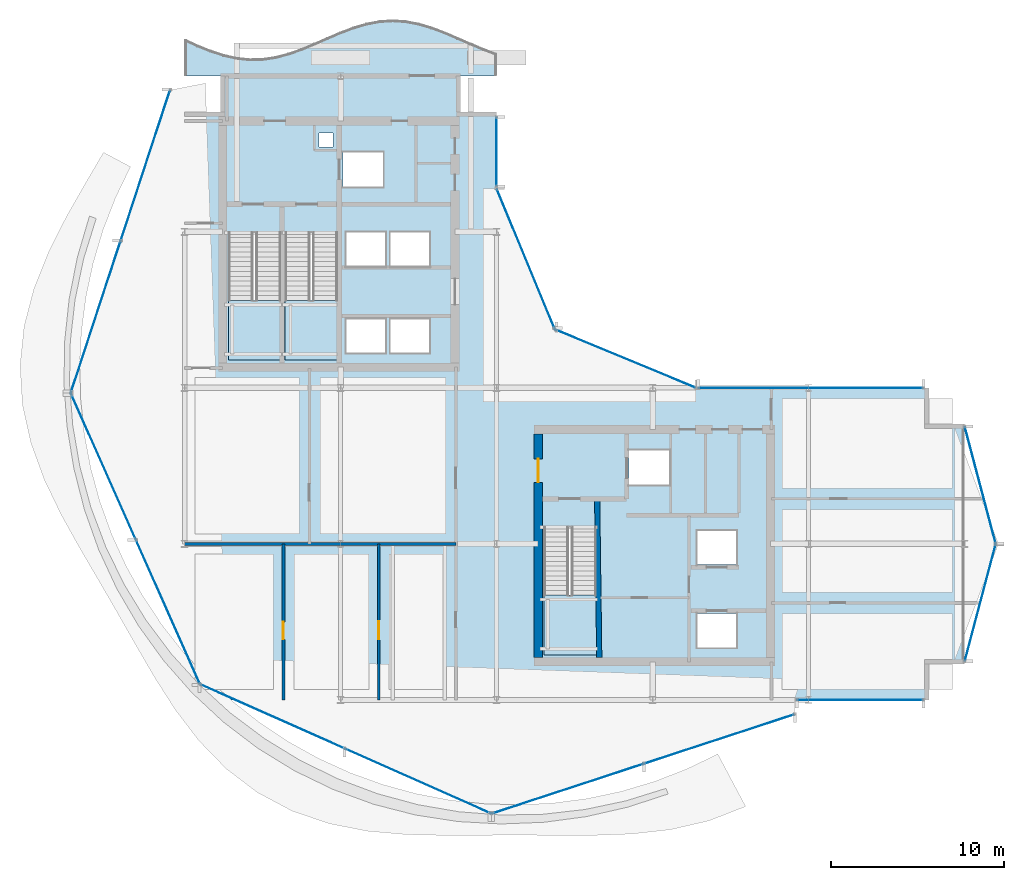
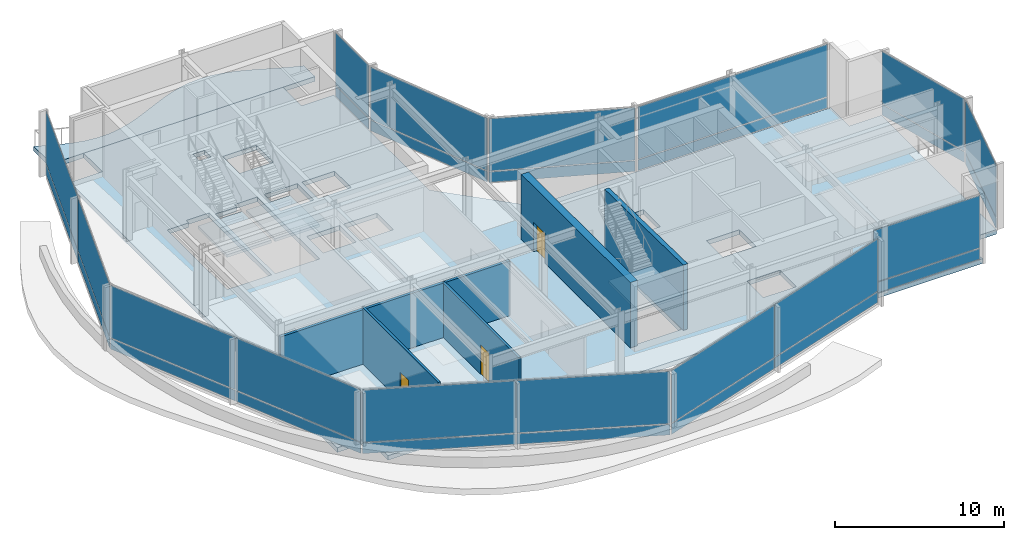
# One storey, part 20 of 29: 30 plates, 5 slabs, 5 walls, 3 doors, 3 openings, 14 elements without a shape of their own.
"""IFC4 building model written with IfcOpenShell, lengths in metres."""

from ifc_helpers import new_model, si_unit, direction, frame, frame_2d, origin, origin_2d, place, context, subcontext, project, spatial, polyline, rectangle, outline, extrude, material, layer, layer_set, type_object, element, fill, aggregate, save


model = new_model("IFC4")

# Units and contexts
model_context = context("Model", 3, precision=1e-05, world=origin(), true_north=direction((0.0, 1.0)))
body_context = subcontext(model_context, "Body", "Model", "MODEL_VIEW")
ifc_project = project(units=[si_unit("LENGTHUNIT", "METRE"), si_unit("AREAUNIT", "SQUARE_METRE"), si_unit("VOLUMEUNIT", "CUBIC_METRE"), si_unit("PLANEANGLEUNIT", "RADIAN"), si_unit("MASSUNIT", "GRAM", prefix="KILO")], contexts=[model_context])

# Site, building, storey
site_placement = place(None, origin())
site = spatial("IfcSite", under=ifc_project, at=site_placement, CompositionType="ELEMENT")
building_placement = place(site_placement, origin())
building = spatial("IfcBuilding", under=site, at=building_placement, Name="Solvaryn Broadcast Tower", CompositionType="ELEMENT")
storey_placement = place(building_placement, frame((0.0, 0.0, 169.199951171875)))
storey = spatial("IfcBuildingStorey", under=building, at=storey_placement, Name="L42", CompositionType="ELEMENT", Elevation=169.199951171875)

# Curtain wall, plates
ifc_material_1 = material(Name="Aluminium and Terracotta Unitised Curtain Wall", Category="masonry")
ifc_layer_1 = layer(ifc_material_1, 0.25)
ifc_layer_set_1 = layer_set([ifc_layer_1], Name="CW-SYS4-SKYGARDEN")
curtain_wall_type = type_object("IfcCurtainWallType", Name="CW-SYS4-SKYGARDEN", PredefinedType="NOTDEFINED", material=ifc_layer_set_1)
curtain_wall_1_placement = place(storey_placement, origin())
curtain_wall_1 = element("IfcCurtainWall", 1, at=curtain_wall_1_placement, inside=storey, type_object=curtain_wall_type, Name="L42 Curtain Wall DR1", PredefinedType="NOTDEFINED")
ifc_material_2 = material(Name="Low-Iron Insulated Vision Glass", Category="glass")
ifc_layer_2 = layer(ifc_material_2, 0.035888671875)
ifc_layer_set_2 = layer_set([ifc_layer_2], Name="CW-PNL-VISION")
plate_type = type_object("IfcPlateType", Name="CW-PNL-VISION", PredefinedType="CURTAIN_PANEL", material=ifc_layer_set_2)
plate_1_placement = place(storey_placement, frame((6.725830078125, 39.798828125, 0.06005859375), z_axis=(0.0, 0.0, 1.0), x_axis=(-0.311558717623, -0.950226902099, 0.0)))
plate_1 = element("IfcPlate", 2, at=plate_1_placement, type_object=plate_type, Name="CWS4 panel 1.1", PredefinedType="CURTAIN_PANEL", context=body_context, shape_type="SweptSolid", body=[
    extrude(rectangle(XDim=9.105712890625, YDim=0.028076171875, at=origin_2d()), origin(), (0.0, 0.0, 1.0), 0.760009765625),
])
plate_2_placement = place(storey_placement, frame((6.725830078125, 39.798828125, 0.8798828125), z_axis=(0.0, 0.0, 1.0), x_axis=(-0.311558717623, -0.950226902099, 0.0)))
plate_2 = element("IfcPlate", 3, at=plate_2_placement, type_object=plate_type, Name="CWS4 panel 1.2", PredefinedType="CURTAIN_PANEL", context=body_context, shape_type="SweptSolid", body=[
    extrude(rectangle(XDim=9.105712890625, YDim=0.028076171875, at=origin_2d()), origin(), (0.0, 0.0, 1.0), 3.780029296875),
])
plate_3_placement = place(storey_placement, frame((3.8701171875, 31.08935546875, 0.06005859375), z_axis=(0.0, 0.0, 1.0), x_axis=(-0.311558717623, -0.950226902099, 0.0)))
plate_3 = element("IfcPlate", 4, at=plate_3_placement, type_object=plate_type, Name="CWS4 panel 2.1", PredefinedType="CURTAIN_PANEL", context=body_context, shape_type="SweptSolid", body=[
    extrude(rectangle(XDim=9.105712890625, YDim=0.028076171875, at=origin_2d()), origin(), (0.0, 0.0, 1.0), 0.760009765625),
])
plate_4_placement = place(storey_placement, frame((3.8701171875, 31.08935546875, 0.8798828125), z_axis=(0.0, 0.0, 1.0), x_axis=(-0.311558717623, -0.950226902099, 0.0)))
plate_4 = element("IfcPlate", 5, at=plate_4_placement, type_object=plate_type, Name="CWS4 panel 2.2", PredefinedType="CURTAIN_PANEL", context=body_context, shape_type="SweptSolid", body=[
    extrude(rectangle(XDim=9.105712890625, YDim=0.028076171875, at=origin_2d()), origin(), (0.0, 0.0, 1.0), 3.780029296875),
])
aggregate(curtain_wall_1, [plate_1, plate_2, plate_3, plate_4])

curtain_wall_2_placement = place(storey_placement, origin())
curtain_wall_2 = element("IfcCurtainWall", 6, at=curtain_wall_2_placement, inside=storey, type_object=curtain_wall_type, Name="L42 Curtain Wall DR2", PredefinedType="NOTDEFINED")
plate_5_placement = place(storey_placement, frame((4.305419921875, 22.490234375, 0.06005859375), z_axis=(0.0, 0.0, 1.0), x_axis=(0.405901337237, -0.913916902365, 0.0)))
plate_5 = element("IfcPlate", 7, at=plate_5_placement, type_object=plate_type, Name="CWS4 panel 1.1", PredefinedType="CURTAIN_PANEL", context=body_context, shape_type="SweptSolid", body=[
    extrude(rectangle(XDim=9.10546875, YDim=0.028076171875, at=origin_2d()), origin(), (0.0, 0.0, 1.0), 0.760009765625),
])
plate_6_placement = place(storey_placement, frame((4.305419921875, 22.490234375, 0.8798828125), z_axis=(0.0, 0.0, 1.0), x_axis=(0.405901337237, -0.913916902365, 0.0)))
plate_6 = element("IfcPlate", 8, at=plate_6_placement, type_object=plate_type, Name="CWS4 panel 1.2", PredefinedType="CURTAIN_PANEL", context=body_context, shape_type="SweptSolid", body=[
    extrude(rectangle(XDim=9.10546875, YDim=0.028076171875, at=origin_2d()), origin(), (0.0, 0.0, 1.0), 3.780029296875),
])
plate_7_placement = place(storey_placement, frame((8.025634765625, 14.11376953125, 0.06005859375), z_axis=(0.0, 0.0, 1.0), x_axis=(0.405901337237, -0.913916902365, 0.0)))
plate_7 = element("IfcPlate", 9, at=plate_7_placement, type_object=plate_type, Name="CWS4 panel 2.1", PredefinedType="CURTAIN_PANEL", context=body_context, shape_type="SweptSolid", body=[
    extrude(rectangle(XDim=9.10546875, YDim=0.028076171875, at=origin_2d()), origin(), (0.0, 0.0, 1.0), 0.760009765625),
])
plate_8_placement = place(storey_placement, frame((8.025634765625, 14.11376953125, 0.8798828125), z_axis=(0.0, 0.0, 1.0), x_axis=(0.405901337237, -0.913916902365, 0.0)))
plate_8 = element("IfcPlate", 10, at=plate_8_placement, type_object=plate_type, Name="CWS4 panel 2.2", PredefinedType="CURTAIN_PANEL", context=body_context, shape_type="SweptSolid", body=[
    extrude(rectangle(XDim=9.10546875, YDim=0.028076171875, at=origin_2d()), origin(), (0.0, 0.0, 1.0), 3.780029296875),
])
aggregate(curtain_wall_2, [plate_5, plate_6, plate_7, plate_8])

curtain_wall_3_placement = place(storey_placement, origin())
curtain_wall_3 = element("IfcCurtainWall", 11, at=curtain_wall_3_placement, inside=storey, type_object=curtain_wall_type, Name="L42 Curtain Wall DR3", PredefinedType="NOTDEFINED")
plate_9_placement = place(storey_placement, frame((14.11376953125, 8.025634765625, 0.06005859375), z_axis=(0.0, 0.0, 1.0), x_axis=(0.913916902365, -0.405901337237, 0.0)))
plate_9 = element("IfcPlate", 12, at=plate_9_placement, type_object=plate_type, Name="CWS4 panel 1.1", PredefinedType="CURTAIN_PANEL", context=body_context, shape_type="SweptSolid", body=[
    extrude(rectangle(XDim=9.10546875, YDim=0.028076171875, at=origin_2d()), origin(), (0.0, 0.0, 1.0), 0.760009765625),
])
plate_10_placement = place(storey_placement, frame((14.11376953125, 8.025634765625, 0.8798828125), z_axis=(0.0, 0.0, 1.0), x_axis=(0.913916902365, -0.405901337237, 0.0)))
plate_10 = element("IfcPlate", 13, at=plate_10_placement, type_object=plate_type, Name="CWS4 panel 1.2", PredefinedType="CURTAIN_PANEL", context=body_context, shape_type="SweptSolid", body=[
    extrude(rectangle(XDim=9.10546875, YDim=0.028076171875, at=origin_2d()), origin(), (0.0, 0.0, 1.0), 3.780029296875),
])
plate_11_placement = place(storey_placement, frame((22.490234375, 4.305419921875, 0.06005859375), z_axis=(0.0, 0.0, 1.0), x_axis=(0.913916902365, -0.405901337237, 0.0)))
plate_11 = element("IfcPlate", 14, at=plate_11_placement, type_object=plate_type, Name="CWS4 panel 2.1", PredefinedType="CURTAIN_PANEL", context=body_context, shape_type="SweptSolid", body=[
    extrude(rectangle(XDim=9.10546875, YDim=0.028076171875, at=origin_2d()), origin(), (0.0, 0.0, 1.0), 0.760009765625),
])
plate_12_placement = place(storey_placement, frame((22.490234375, 4.305419921875, 0.8798828125), z_axis=(0.0, 0.0, 1.0), x_axis=(0.913916902365, -0.405901337237, 0.0)))
plate_12 = element("IfcPlate", 15, at=plate_12_placement, type_object=plate_type, Name="CWS4 panel 2.2", PredefinedType="CURTAIN_PANEL", context=body_context, shape_type="SweptSolid", body=[
    extrude(rectangle(XDim=9.10546875, YDim=0.028076171875, at=origin_2d()), origin(), (0.0, 0.0, 1.0), 3.780029296875),
])
aggregate(curtain_wall_3, [plate_9, plate_10, plate_11, plate_12])

curtain_wall_4_placement = place(storey_placement, origin())
curtain_wall_4 = element("IfcCurtainWall", 16, at=curtain_wall_4_placement, inside=storey, type_object=curtain_wall_type, Name="L42 Curtain Wall DR4", PredefinedType="NOTDEFINED")
plate_13_placement = place(storey_placement, frame((31.08935546875, 3.8701171875, 0.06005859375), z_axis=(0.0, 0.0, 1.0), x_axis=(0.950226902099, 0.311558717623, 0.0)))
plate_13 = element("IfcPlate", 17, at=plate_13_placement, type_object=plate_type, Name="CWS4 panel 1.1", PredefinedType="CURTAIN_PANEL", context=body_context, shape_type="SweptSolid", body=[
    extrude(rectangle(XDim=9.105712890625, YDim=0.028076171875, at=origin_2d()), origin(), (0.0, 0.0, 1.0), 0.760009765625),
])
plate_14_placement = place(storey_placement, frame((31.08935546875, 3.8701171875, 0.8798828125), z_axis=(0.0, 0.0, 1.0), x_axis=(0.950226902099, 0.311558717623, 0.0)))
plate_14 = element("IfcPlate", 18, at=plate_14_placement, type_object=plate_type, Name="CWS4 panel 1.2", PredefinedType="CURTAIN_PANEL", context=body_context, shape_type="SweptSolid", body=[
    extrude(rectangle(XDim=9.105712890625, YDim=0.028076171875, at=origin_2d()), origin(), (0.0, 0.0, 1.0), 3.780029296875),
])
plate_15_placement = place(storey_placement, frame((39.798828125, 6.725830078125, 0.06005859375), z_axis=(0.0, 0.0, 1.0), x_axis=(0.950226902099, 0.311558717623, 0.0)))
plate_15 = element("IfcPlate", 19, at=plate_15_placement, type_object=plate_type, Name="CWS4 panel 2.1", PredefinedType="CURTAIN_PANEL", context=body_context, shape_type="SweptSolid", body=[
    extrude(rectangle(XDim=9.105712890625, YDim=0.028076171875, at=origin_2d()), origin(), (0.0, 0.0, 1.0), 0.760009765625),
])
plate_16_placement = place(storey_placement, frame((39.798828125, 6.725830078125, 0.8798828125), z_axis=(0.0, 0.0, 1.0), x_axis=(0.950226902099, 0.311558717623, 0.0)))
plate_16 = element("IfcPlate", 20, at=plate_16_placement, type_object=plate_type, Name="CWS4 panel 2.2", PredefinedType="CURTAIN_PANEL", context=body_context, shape_type="SweptSolid", body=[
    extrude(rectangle(XDim=9.105712890625, YDim=0.028076171875, at=origin_2d()), origin(), (0.0, 0.0, 1.0), 3.780029296875),
])
aggregate(curtain_wall_4, [plate_13, plate_14, plate_15, plate_16])

curtain_wall_5_placement = place(storey_placement, origin())
curtain_wall_5 = element("IfcCurtainWall", 21, at=curtain_wall_5_placement, inside=storey, type_object=curtain_wall_type, Name="L42 Curtain Wall IV", PredefinedType="NOTDEFINED")
plate_17_placement = place(storey_placement, frame((27.0, 40.625, 0.06005859375), z_axis=(0.0, 0.0, 1.0), x_axis=(0.0, -1.0, 0.0)))
plate_17 = element("IfcPlate", 22, at=plate_17_placement, type_object=plate_type, Name="CWS4 panel 1.1", PredefinedType="CURTAIN_PANEL", context=body_context, shape_type="SweptSolid", body=[
    extrude(rectangle(XDim=3.929931640625, YDim=0.028076171875, at=origin_2d()), origin(), (0.0, 0.0, 1.0), 0.760009765625),
])
plate_18_placement = place(storey_placement, frame((27.0, 40.625, 0.8798828125), z_axis=(0.0, 0.0, 1.0), x_axis=(0.0, -1.0, 0.0)))
plate_18 = element("IfcPlate", 23, at=plate_18_placement, type_object=plate_type, Name="CWS4 panel 1.2", PredefinedType="CURTAIN_PANEL", context=body_context, shape_type="SweptSolid", body=[
    extrude(rectangle(XDim=3.929931640625, YDim=0.028076171875, at=origin_2d()), origin(), (0.0, 0.0, 1.0), 3.780029296875),
])
aggregate(curtain_wall_5, [plate_17, plate_18])

curtain_wall_6_placement = place(storey_placement, origin())
curtain_wall_6 = element("IfcCurtainWall", 24, at=curtain_wall_6_placement, inside=storey, type_object=curtain_wall_type, Name="L42 Curtain Wall CN1", PredefinedType="NOTDEFINED")
plate_19_placement = place(storey_placement, frame((34.43408203125, 28.68408203125, 0.06005859375), z_axis=(0.0, 0.0, 1.0), x_axis=(-0.923894983957, 0.382646127145, 0.0)))
plate_19 = element("IfcPlate", 25, at=plate_19_placement, type_object=plate_type, Name="CWS4 panel 1.1", PredefinedType="CURTAIN_PANEL", context=body_context, shape_type="SweptSolid", body=[
    extrude(rectangle(XDim=8.681884765625, YDim=0.028076171875, at=origin_2d()), origin(), (0.0, 0.0, 1.0), 0.760009765625),
])
plate_20_placement = place(storey_placement, frame((34.43408203125, 28.68408203125, 0.8798828125), z_axis=(0.0, 0.0, 1.0), x_axis=(-0.923894983957, 0.382646127145, 0.0)))
plate_20 = element("IfcPlate", 26, at=plate_20_placement, type_object=plate_type, Name="CWS4 panel 1.2", PredefinedType="CURTAIN_PANEL", context=body_context, shape_type="SweptSolid", body=[
    extrude(rectangle(XDim=8.681884765625, YDim=0.028076171875, at=origin_2d()), origin(), (0.0, 0.0, 1.0), 3.780029296875),
])
aggregate(curtain_wall_6, [plate_19, plate_20])

curtain_wall_7_placement = place(storey_placement, origin())
curtain_wall_7 = element("IfcCurtainWall", 27, at=curtain_wall_7_placement, inside=storey, type_object=curtain_wall_type, Name="L42 Curtain Wall CN2", PredefinedType="NOTDEFINED")
plate_21_placement = place(storey_placement, frame((28.68408203125, 34.43408203125, 0.06005859375), z_axis=(0.0, 0.0, 1.0), x_axis=(-0.382646127145, 0.923894983957, 0.0)))
plate_21 = element("IfcPlate", 28, at=plate_21_placement, type_object=plate_type, Name="CWS4 panel 1.1", PredefinedType="CURTAIN_PANEL", context=body_context, shape_type="SweptSolid", body=[
    extrude(rectangle(XDim=8.681884765625, YDim=0.028076171875, at=origin_2d()), origin(), (0.0, 0.0, 1.0), 0.760009765625),
])
plate_22_placement = place(storey_placement, frame((28.68408203125, 34.43408203125, 0.8798828125), z_axis=(0.0, 0.0, 1.0), x_axis=(-0.382646127145, 0.923894983957, 0.0)))
plate_22 = element("IfcPlate", 29, at=plate_22_placement, type_object=plate_type, Name="CWS4 panel 1.2", PredefinedType="CURTAIN_PANEL", context=body_context, shape_type="SweptSolid", body=[
    extrude(rectangle(XDim=8.681884765625, YDim=0.028076171875, at=origin_2d()), origin(), (0.0, 0.0, 1.0), 3.780029296875),
])
aggregate(curtain_wall_7, [plate_21, plate_22])

curtain_wall_8_placement = place(storey_placement, origin())
curtain_wall_8 = element("IfcCurtainWall", 30, at=curtain_wall_8_placement, inside=storey, type_object=curtain_wall_type, Name="L42 Curtain Wall S2", PredefinedType="NOTDEFINED")
plate_23_placement = place(storey_placement, frame((47.966064453125, 9.0, 0.06005859375), z_axis=(0.0, 0.0, 1.0), x_axis=(1.0, 0.0, 0.0)))
plate_23 = element("IfcPlate", 31, at=plate_23_placement, type_object=plate_type, Name="CWS4 panel 1.1", PredefinedType="CURTAIN_PANEL", context=body_context, shape_type="SweptSolid", body=[
    extrude(rectangle(XDim=7.248046875, YDim=0.028076171875, at=origin_2d()), origin(), (0.0, 0.0, 1.0), 0.760009765625),
])
plate_24_placement = place(storey_placement, frame((47.966064453125, 9.0, 0.8798828125), z_axis=(0.0, 0.0, 1.0), x_axis=(1.0, 0.0, 0.0)))
plate_24 = element("IfcPlate", 32, at=plate_24_placement, type_object=plate_type, Name="CWS4 panel 1.2", PredefinedType="CURTAIN_PANEL", context=body_context, shape_type="SweptSolid", body=[
    extrude(rectangle(XDim=7.248046875, YDim=0.028076171875, at=origin_2d()), origin(), (0.0, 0.0, 1.0), 3.780029296875),
])
aggregate(curtain_wall_8, [plate_23, plate_24])

curtain_wall_9_placement = place(storey_placement, origin())
curtain_wall_9 = element("IfcCurtainWall", 33, at=curtain_wall_9_placement, inside=storey, type_object=curtain_wall_type, Name="L42 Curtain Wall ET1", PredefinedType="NOTDEFINED")
plate_25_placement = place(storey_placement, frame((54.89990234375, 21.39990234375, 0.06005859375), z_axis=(0.0, 0.0, 1.0), x_axis=(0.25589256031, -0.966705227863, 0.0)))
plate_25 = element("IfcPlate", 34, at=plate_25_placement, type_object=plate_type, Name="CWS4 panel 1.1", PredefinedType="CURTAIN_PANEL", context=body_context, shape_type="SweptSolid", body=[
    extrude(rectangle(XDim=6.914306640625, YDim=0.028076171875, at=origin_2d()), origin(), (0.0, 0.0, 1.0), 0.760009765625),
])
plate_26_placement = place(storey_placement, frame((54.89990234375, 21.39990234375, 0.8798828125), z_axis=(0.0, 0.0, 1.0), x_axis=(0.25589256031, -0.966705227863, 0.0)))
plate_26 = element("IfcPlate", 35, at=plate_26_placement, type_object=plate_type, Name="CWS4 panel 1.2", PredefinedType="CURTAIN_PANEL", context=body_context, shape_type="SweptSolid", body=[
    extrude(rectangle(XDim=6.914306640625, YDim=0.028076171875, at=origin_2d()), origin(), (0.0, 0.0, 1.0), 3.780029296875),
])
aggregate(curtain_wall_9, [plate_25, plate_26])

curtain_wall_10_placement = place(storey_placement, origin())
curtain_wall_10 = element("IfcCurtainWall", 36, at=curtain_wall_10_placement, inside=storey, type_object=curtain_wall_type, Name="L42 Curtain Wall ET2", PredefinedType="NOTDEFINED")
plate_27_placement = place(storey_placement, frame((54.89990234375, 14.60009765625, 0.06005859375), z_axis=(0.0, 0.0, 1.0), x_axis=(-0.25589256031, -0.966705227863, 0.0)))
plate_27 = element("IfcPlate", 37, at=plate_27_placement, type_object=plate_type, Name="CWS4 panel 1.1", PredefinedType="CURTAIN_PANEL", context=body_context, shape_type="SweptSolid", body=[
    extrude(rectangle(XDim=6.914306640625, YDim=0.028076171875, at=origin_2d()), origin(), (0.0, 0.0, 1.0), 0.760009765625),
])
plate_28_placement = place(storey_placement, frame((54.89990234375, 14.60009765625, 0.8798828125), z_axis=(0.0, 0.0, 1.0), x_axis=(-0.25589256031, -0.966705227863, 0.0)))
plate_28 = element("IfcPlate", 38, at=plate_28_placement, type_object=plate_type, Name="CWS4 panel 1.2", PredefinedType="CURTAIN_PANEL", context=body_context, shape_type="SweptSolid", body=[
    extrude(rectangle(XDim=6.914306640625, YDim=0.028076171875, at=origin_2d()), origin(), (0.0, 0.0, 1.0), 3.780029296875),
])
aggregate(curtain_wall_10, [plate_27, plate_28])

curtain_wall_11_placement = place(storey_placement, origin())
curtain_wall_11 = element("IfcCurtainWall", 39, at=curtain_wall_11_placement, inside=storey, type_object=curtain_wall_type, Name="L42 Curtain Wall IH", PredefinedType="NOTDEFINED")
plate_29_placement = place(storey_placement, frame((45.125, 27.0, 0.06005859375), z_axis=(0.0, 0.0, 1.0), x_axis=(1.0, 0.0, 0.0)))
plate_29 = element("IfcPlate", 40, at=plate_29_placement, type_object=plate_type, Name="CWS4 panel 1.1", PredefinedType="CURTAIN_PANEL", context=body_context, shape_type="SweptSolid", body=[
    extrude(rectangle(XDim=12.929931640625, YDim=0.028076171875, at=origin_2d()), origin(), (0.0, 0.0, 1.0), 0.760009765625),
])
plate_30_placement = place(storey_placement, frame((45.125, 27.0, 0.8798828125), z_axis=(0.0, 0.0, 1.0), x_axis=(1.0, 0.0, 0.0)))
plate_30 = element("IfcPlate", 41, at=plate_30_placement, type_object=plate_type, Name="CWS4 panel 1.2", PredefinedType="CURTAIN_PANEL", context=body_context, shape_type="SweptSolid", body=[
    extrude(rectangle(XDim=12.929931640625, YDim=0.028076171875, at=origin_2d()), origin(), (0.0, 0.0, 1.0), 3.780029296875),
])
aggregate(curtain_wall_11, [plate_29, plate_30])

# Stair, slab
ifc_material_3 = material(Name="Concrete f'c 60 MPa", Category="concrete")
stair_type = type_object("IfcStairType", Name="ST-CORE", PredefinedType="HALF_TURN_STAIR", material=ifc_material_3)
stair_1_placement = place(storey_placement, origin())
stair_1 = element("IfcStair", 42, at=stair_1_placement, inside=storey, type_object=stair_type, Name="L42 ST1", PredefinedType="HALF_TURN_STAIR")
ifc_material_4 = material(Name="Concrete f'c 60 MPa", Category="concrete")
ifc_layer_3 = layer(ifc_material_4, 0.199951171875)
ifc_layer_set_3 = layer_set([ifc_layer_3], Name="SL-LANDING-200")
slab_type_1 = type_object("IfcSlabType", Name="SL-LANDING-200", PredefinedType="LANDING", material=ifc_layer_set_3)
slab_1_placement = place(storey_placement, frame((0.0, 0.0, 2.300048828125)))
slab_1 = element("IfcSlab", 43, at=slab_1_placement, type_object=slab_type_1, Name="ST1 landing 1", PredefinedType="LANDING", context=body_context, shape_type="SweptSolid", body=[
    extrude(outline(polyline([(11.52001953125, 32.0400390625), (11.52001953125, 28.60009765625), (14.550048828125, 28.60009765625), (14.550048828125, 32.0400390625), (11.52001953125, 32.0400390625)])), origin(), (0.0, 0.0, 1.0), 0.199951171875),
])
aggregate(stair_1, [slab_1])

stair_2_placement = place(storey_placement, origin())
stair_2 = element("IfcStair", 44, at=stair_2_placement, inside=storey, type_object=stair_type, Name="L42 ST2", PredefinedType="HALF_TURN_STAIR")
slab_2_placement = place(storey_placement, frame((0.0, 0.0, 2.300048828125)))
slab_2 = element("IfcSlab", 45, at=slab_2_placement, type_object=slab_type_1, Name="ST2 landing 1", PredefinedType="LANDING", context=body_context, shape_type="SweptSolid", body=[
    extrude(outline(polyline([(14.800048828125, 32.0400390625), (14.800048828125, 28.60009765625), (17.830078125, 28.60009765625), (17.830078125, 32.0400390625), (14.800048828125, 32.0400390625)])), origin(), (0.0, 0.0, 1.0), 0.199951171875),
])
aggregate(stair_2, [slab_2])

stair_3_placement = place(storey_placement, origin())
stair_3 = element("IfcStair", 46, at=stair_3_placement, inside=storey, type_object=stair_type, Name="L42 ST3", PredefinedType="HALF_TURN_STAIR")
slab_3_placement = place(storey_placement, frame((0.0, 0.0, 2.300048828125)))
slab_3 = element("IfcSlab", 47, at=slab_3_placement, type_object=slab_type_1, Name="ST3 landing 1", PredefinedType="LANDING", context=body_context, shape_type="SweptSolid", body=[
    extrude(outline(polyline([(29.719970703125, 15.0400390625), (29.719970703125, 11.60009765625), (32.75, 11.60009765625), (32.75, 15.0400390625), (29.719970703125, 15.0400390625)])), origin(), (0.0, 0.0, 1.0), 0.199951171875),
])
aggregate(stair_3, [slab_3])

# Slabs
ifc_material_5 = material(Name="Concrete f'c 60 MPa", Category="concrete")
ifc_layer_4 = layer(ifc_material_5, 0.330078125)
ifc_layer_set_4 = layer_set([ifc_layer_4], Name="SL-PLT-330")
slab_type_2 = type_object("IfcSlabType", Name="SL-PLT-330", PredefinedType="FLOOR", material=ifc_layer_set_4)
slab_4_placement = place(storey_placement, frame((0.0, 0.0, -0.329833984375)))
element("IfcSlab", 48, at=slab_4_placement, inside=storey, type_object=slab_type_2, Name="L42 Structural Floor Slab", PredefinedType="FLOOR", context=body_context, shape_type="SweptSolid", body=[
    extrude(outline(polyline([(11.199951171875, 9.0), (51.800048828125, 9.0), (51.800048828125, 11.199951171875), (54.0, 11.199951171875), (54.0, 24.800048828125), (51.800048828125, 24.800048828125), (51.800048828125, 27.0), (31.5, 27.0), (27.0, 31.5), (27.0, 42.800048828125), (24.800048828125, 42.800048828125), (24.800048828125, 45.0), (11.199951171875, 45.0), (11.199951171875, 42.800048828125), (9.0, 42.800048828125), (9.0, 11.199951171875), (11.199951171875, 11.199951171875), (11.199951171875, 9.0)]), holes=[polyline([(11.52001953125, 28.60009765625), (14.550048828125, 28.60009765625), (14.550048828125, 35.9599609375), (12.97998046875, 35.9599609375), (12.97998046875, 35.679931640625), (11.52001953125, 35.679931640625), (11.52001953125, 28.60009765625)]), polyline([(14.800048828125, 28.60009765625), (17.830078125, 28.60009765625), (17.830078125, 35.9599609375), (16.260009765625, 35.9599609375), (16.260009765625, 35.679931640625), (14.800048828125, 35.679931640625), (14.800048828125, 28.60009765625)]), polyline([(29.719970703125, 11.60009765625), (32.75, 11.60009765625), (32.75, 18.9599609375), (31.179931640625, 18.9599609375), (31.179931640625, 18.679931640625), (29.719970703125, 18.679931640625), (29.719970703125, 11.60009765625)]), polyline([(18.14990234375, 38.60009765625), (20.449951171875, 38.60009765625), (20.449951171875, 40.60009765625), (18.14990234375, 40.60009765625), (18.14990234375, 38.60009765625)]), polyline([(18.324951171875, 29.02490234375), (20.574951171875, 29.02490234375), (20.574951171875, 30.97509765625), (18.324951171875, 30.97509765625), (18.324951171875, 29.02490234375)]), polyline([(20.875, 29.02490234375), (23.125, 29.02490234375), (23.125, 30.97509765625), (20.875, 30.97509765625), (20.875, 29.02490234375)]), polyline([(18.324951171875, 34.02490234375), (20.574951171875, 34.02490234375), (20.574951171875, 35.97509765625), (18.324951171875, 35.97509765625), (18.324951171875, 34.02490234375)]), polyline([(20.875, 34.02490234375), (23.125, 34.02490234375), (23.125, 35.97509765625), (20.875, 35.97509765625), (20.875, 34.02490234375)]), polyline([(34.64990234375, 21.39990234375), (36.949951171875, 21.39990234375), (36.949951171875, 23.39990234375), (34.64990234375, 23.39990234375), (34.64990234375, 21.39990234375)]), polyline([(38.574951171875, 12.02490234375), (40.824951171875, 12.02490234375), (40.824951171875, 13.97509765625), (38.574951171875, 13.97509765625), (38.574951171875, 12.02490234375)]), polyline([(38.574951171875, 16.824951171875), (40.824951171875, 16.824951171875), (40.824951171875, 18.77490234375), (38.574951171875, 18.77490234375), (38.574951171875, 16.824951171875)]), polyline([(16.75, 40.89990234375), (17.550048828125, 40.89990234375), (17.550048828125, 41.699951171875), (16.75, 41.699951171875), (16.75, 40.89990234375)])]), origin(), (0.0, 0.0, 1.0), 0.329833984375),
])
ifc_material_6 = material(Name="Concrete f'c 60 MPa", Category="concrete")
ifc_layer_5 = layer(ifc_material_6, 0.239990234375)
ifc_layer_set_5 = layer_set([ifc_layer_5], Name="SL-SKYG-240")
slab_type_3 = type_object("IfcSlabType", Name="SL-SKYG-240", PredefinedType="FLOOR", material=ifc_layer_set_5)
slab_5_placement = place(storey_placement, frame((0.0, 0.0, -0.329833984375)))
element("IfcSlab", 49, at=slab_5_placement, inside=storey, type_object=slab_type_3, Name="L42 Wave-Edged Terrace Slab TSSG3", PredefinedType="FLOOR", context=body_context, shape_type="SweptSolid", body=[
    extrude(outline(polyline([(9.0, 45.0), (9.75, 45.0), (10.5, 45.0), (11.25, 45.0), (12.0, 45.0), (12.75, 45.0), (13.5, 45.0), (14.25, 45.0), (15.0, 45.0), (15.75, 45.0), (16.5, 45.0), (17.25, 45.0), (18.0, 45.0), (18.75, 45.0), (19.5, 45.0), (20.25, 45.0), (21.0, 45.0), (21.75, 45.0), (22.5, 45.0), (23.25, 45.0), (24.0, 45.0), (24.75, 45.0), (25.5, 45.0), (26.25, 45.0), (27.0, 45.0), (27.0, 46.304931640625), (26.25, 46.570068359375), (25.5, 46.881103515625), (24.75, 47.2099609375), (24.0, 47.531005859375), (23.25, 47.81396484375), (22.5, 48.034912109375), (21.75, 48.177001953125), (21.0, 48.22509765625), (20.25, 48.177001953125), (19.5, 48.034912109375), (18.75, 47.81396484375), (18.0, 47.531005859375), (17.25, 47.2099609375), (16.5, 46.881103515625), (15.75, 46.570068359375), (15.0, 46.304931640625), (14.25, 46.10791015625), (13.5, 45.9970703125), (12.75, 45.97998046875), (12.0, 46.06103515625), (11.25, 46.22998046875), (10.5, 46.47509765625), (9.75, 46.77294921875), (9.0, 47.10009765625), (9.0, 45.0)])), origin(), (0.0, 0.0, 1.0), 0.329833984375),
])

# Wall, opening, door
ifc_material_7 = material(Name="Concrete f'c 70 MPa", Category="concrete")
ifc_layer_6 = layer(ifc_material_7, 0.5)
ifc_layer_set_6 = layer_set([ifc_layer_6], Name="CW-SHEAR-500")
wall_type_1 = type_object("IfcWallType", Name="CW-SHEAR-500", PredefinedType="SHEAR", material=ifc_layer_set_6)
wall_1_placement = place(storey_placement, frame((29.39990234375, 24.35009765625, 0.0), z_axis=(0.0, 0.0, 1.0), x_axis=(0.0, -1.0, 0.0)))
wall_1 = element("IfcWall", 50, at=wall_1_placement, inside=storey, type_object=wall_type_1, Name="L42 East Core West Shear Wall", PredefinedType="SHEAR", context=body_context, shape_type="SweptSolid", body=[
    extrude(rectangle(XDim=12.900146484375, YDim=0.5, at=frame_2d((6.4501953125, 0.0))), origin(), (0.0, 0.0, 1.0), 4.719970703125),
])
opening_1_placement = place(wall_1_placement, frame((1.449951171875, 0.0, 0.0)))
opening_1 = element("IfcOpeningElement", 51, at=opening_1_placement, cuts=wall_1, Name="Opening FD90B", PredefinedType="OPENING", context=body_context, shape_type="SweptSolid", body=[
    extrude(rectangle(XDim=1.35009765625, YDim=2.14990234375, at=frame_2d((0.675048828125, 1.074951171875))), frame((0.0, 0.260009765625, 0.0), z_axis=(0.0, -1.0, 0.0), x_axis=(1.0, 0.0, 0.0)), (0.0, 0.0, 1.0), 0.52001953125),
])
ifc_material_8 = material(Name="Flush Acoustic Steel and Timber Door Assembly", Category="steel")
door_type_1 = type_object("IfcDoorType", Name="FD90-LOBBY-1350X2150", OperationType="NOTDEFINED", PredefinedType="DOOR", material=ifc_material_8)
door_1_placement = place(opening_1_placement, origin())
door_1 = element("IfcDoor", 52, at=door_1_placement, inside=storey, type_object=door_type_1, Name="L42 East FSAE Lobby Door", OperationType="SINGLE_SWING_RIGHT", OverallHeight=2.14990234375, OverallWidth=1.35009765625, PredefinedType="DOOR", context=body_context, shape_type="SweptSolid", body=[
    extrude(rectangle(XDim=1.35009765625, YDim=2.14990234375, at=frame_2d((0.675048828125, 1.074951171875))), frame((0.0, 0.02490234375, 0.0), z_axis=(0.0, -1.0, 0.0), x_axis=(1.0, 0.0, 0.0)), (0.0, 0.0, 1.0), 0.050048828125),
])
fill(opening_1, door_1)

ifc_material_9 = material(Name="Metal-Stud Gypsum Office Partition")
ifc_layer_7 = layer(ifc_material_9, 0.159912109375)
ifc_layer_set_7 = layer_set([ifc_layer_7], Name="IW-PART-160")
wall_type_2 = type_object("IfcWallType", Name="IW-PART-160", PredefinedType="PARTITIONING", material=ifc_layer_set_7)
wall_2_placement = place(storey_placement, frame((14.699951171875, 9.0, 0.0), z_axis=(0.0, 0.0, 1.0), x_axis=(0.0, 1.0, 0.0)))
wall_2 = element("IfcWall", 53, at=wall_2_placement, inside=storey, type_object=wall_type_2, Name="L42 Interior Partition IW-L42-SWS-V1", PredefinedType="PARTITIONING", context=body_context, shape_type="SweptSolid", body=[
    extrude(rectangle(XDim=9.0, YDim=0.159912109375, at=frame_2d((4.5, 0.0))), origin(), (0.0, 0.0, 1.0), 4.089111328125),
])
opening_2_placement = place(wall_2_placement, frame((3.5, 0.0, 0.0)))
opening_2 = element("IfcOpeningElement", 54, at=opening_2_placement, cuts=wall_2, Name="Opening ID02", PredefinedType="OPENING", context=body_context, shape_type="SweptSolid", body=[
    extrude(rectangle(XDim=1.0, YDim=2.10009765625, at=frame_2d((0.5, 1.050048828125))), frame((0.0, 0.090087890625, 0.0), z_axis=(0.0, -1.0, 0.0), x_axis=(1.0, 0.0, 0.0)), (0.0, 0.0, 1.0), 0.179931640625),
])
ifc_material_10 = material(Name="Flush Acoustic Steel and Timber Door Assembly", Category="steel")
door_type_2 = type_object("IfcDoorType", Name="ID-02-1000X2100", OperationType="NOTDEFINED", PredefinedType="DOOR", material=ifc_material_10)
door_2_placement = place(opening_2_placement, origin())
door_2 = element("IfcDoor", 55, at=door_2_placement, inside=storey, type_object=door_type_2, Name="L42 Door DR-L42-SWS-1", OperationType="SINGLE_SWING_LEFT", OverallHeight=2.10009765625, OverallWidth=1.0, PredefinedType="DOOR", context=body_context, shape_type="SweptSolid", body=[
    extrude(rectangle(XDim=1.0, YDim=2.10009765625, at=frame_2d((0.5, 1.050048828125))), frame((0.0, 0.02490234375, 0.0), z_axis=(0.0, -1.0, 0.0), x_axis=(1.0, 0.0, 0.0)), (0.0, 0.0, 1.0), 0.050048828125),
])
fill(opening_2, door_2)

wall_3_placement = place(storey_placement, frame((20.199951171875, 9.0, 0.0), z_axis=(0.0, 0.0, 1.0), x_axis=(0.0, 1.0, 0.0)))
wall_3 = element("IfcWall", 56, at=wall_3_placement, inside=storey, type_object=wall_type_2, Name="L42 Interior Partition IW-L42-SWS-V2", PredefinedType="PARTITIONING", context=body_context, shape_type="SweptSolid", body=[
    extrude(rectangle(XDim=9.0, YDim=0.159912109375, at=frame_2d((4.5, 0.0))), origin(), (0.0, 0.0, 1.0), 3.93408203125),
])
opening_3_placement = place(wall_3_placement, frame((3.5, 0.0, 0.0)))
opening_3 = element("IfcOpeningElement", 57, at=opening_3_placement, cuts=wall_3, Name="Opening ID03", PredefinedType="OPENING", context=body_context, shape_type="SweptSolid", body=[
    extrude(rectangle(XDim=1.050048828125, YDim=2.14990234375, at=frame_2d((0.52490234375, 1.074951171875))), frame((0.0, 0.090087890625, 0.0), z_axis=(0.0, -1.0, 0.0), x_axis=(1.0, 0.0, 0.0)), (0.0, 0.0, 1.0), 0.179931640625),
])
ifc_material_11 = material(Name="Flush Acoustic Steel and Timber Door Assembly", Category="steel")
door_type_3 = type_object("IfcDoorType", Name="ID-03-1050X2150", OperationType="NOTDEFINED", PredefinedType="DOOR", material=ifc_material_11)
door_3_placement = place(opening_3_placement, origin())
door_3 = element("IfcDoor", 58, at=door_3_placement, inside=storey, type_object=door_type_3, Name="L42 Door DR-L42-SWS-2", OperationType="SINGLE_SWING_RIGHT", OverallHeight=2.14990234375, OverallWidth=1.050048828125, PredefinedType="DOOR", context=body_context, shape_type="SweptSolid", body=[
    extrude(rectangle(XDim=1.050048828125, YDim=2.14990234375, at=frame_2d((0.52490234375, 1.074951171875))), frame((0.0, 0.02490234375, 0.0), z_axis=(0.0, -1.0, 0.0), x_axis=(1.0, 0.0, 0.0)), (0.0, 0.0, 1.0), 0.050048828125),
])
fill(opening_3, door_3)

# Walls
ifc_material_12 = material(Name="Acoustic Metal-Stud Gypsum Partition")
ifc_layer_8 = layer(ifc_material_12, 0.179931640625)
ifc_layer_set_8 = layer_set([ifc_layer_8], Name="IW-PART-180")
wall_type_3 = type_object("IfcWallType", Name="IW-PART-180", PredefinedType="PARTITIONING", material=ifc_layer_set_8)
wall_4_placement = place(storey_placement, frame((9.0, 18.0, 0.0), z_axis=(0.0, 0.0, 1.0), x_axis=(1.0, 0.0, 0.0)))
element("IfcWall", 59, at=wall_4_placement, inside=storey, type_object=wall_type_3, Name="L42 Interior Partition IW-L42-SW-HY", PredefinedType="PARTITIONING", context=body_context, shape_type="SweptSolid", body=[
    extrude(rectangle(XDim=15.64990234375, YDim=0.179931640625, at=frame_2d((7.824951171875, 0.0))), origin(), (0.0, 0.0, 1.0), 3.93408203125),
])
ifc_material_13 = material(Name="Concrete f'c 70 MPa", Category="concrete")
ifc_layer_9 = layer(ifc_material_13, 0.300048828125)
ifc_layer_set_9 = layer_set([ifc_layer_9], Name="SW-SHAFT-300")
wall_type_4 = type_object("IfcWallType", Name="SW-SHAFT-300", PredefinedType="SHEAR", material=ifc_layer_set_9)
wall_5_placement = place(storey_placement, frame((32.919921875, 11.449951171875, 0.0), z_axis=(0.0, 0.0, 1.0), x_axis=(-0.013171578211, 0.999913251001, 0.0)))
element("IfcWall", 60, at=wall_5_placement, inside=storey, type_object=wall_type_4, Name="L42 Stair 3 East Shear Wall", PredefinedType="SHEAR", context=body_context, shape_type="SweptSolid", body=[
    extrude(rectangle(XDim=9.100830078125, YDim=0.300048828125, at=frame_2d((4.55029296875, 0.0))), origin(), (0.0, 0.0, 1.0), 4.719970703125),
])

save(model, "model.ifc")
